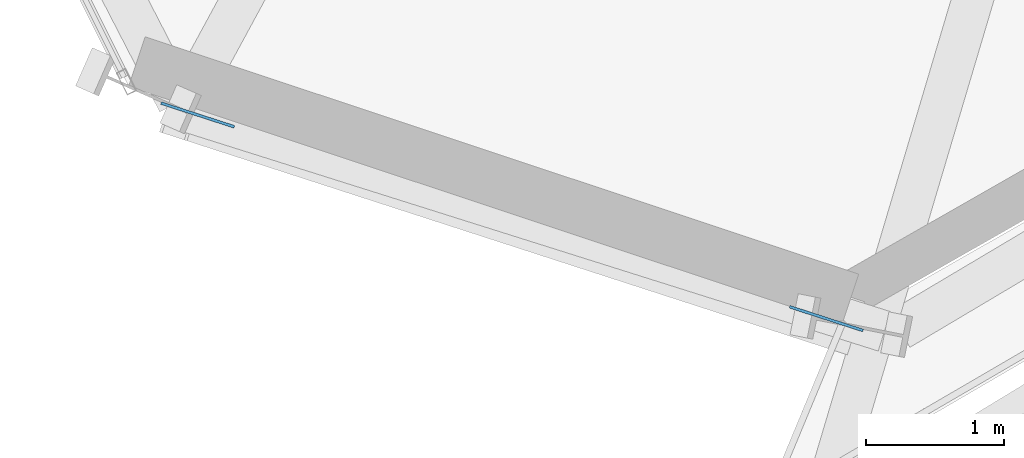
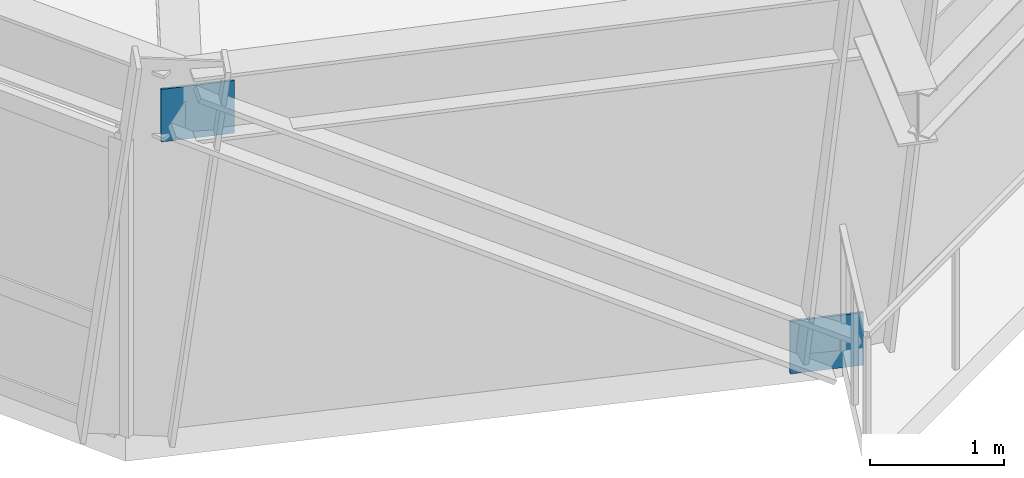
# One storey, part 10 of 20: 2 plates.
"""IFC4 building model written with IfcOpenShell, lengths in metres."""

from ifc_helpers import new_model, si_unit, direction, frame, origin, origin_2d, place, context, subcontext, project, spatial, rectangle, extrude, source, transform, mapped, material, type_object, element, save


model = new_model("IFC4")

# Units and contexts
model_context = context("Model", 3, precision=1e-05, world=origin(), true_north=direction((0.0, 1.0)))
body_context = subcontext(model_context, "Body", "Model", "MODEL_VIEW")
ifc_project = project(units=[si_unit("LENGTHUNIT", "METRE"), si_unit("AREAUNIT", "SQUARE_METRE"), si_unit("VOLUMEUNIT", "CUBIC_METRE"), si_unit("PLANEANGLEUNIT", "RADIAN"), si_unit("MASSUNIT", "GRAM", prefix="KILO")], contexts=[model_context])

# Site, building, storey
site_placement = place(None, origin())
site = spatial("IfcSite", under=ifc_project, at=site_placement, CompositionType="ELEMENT")
building_placement = place(site_placement, origin())
building = spatial("IfcBuilding", under=site, at=building_placement, Name="Olszyna Solenne Hotel", CompositionType="ELEMENT")
storey_placement = place(building_placement, frame((0.0, 0.0, 98.60009765625)))
storey = spatial("IfcBuildingStorey", under=building, at=storey_placement, Name="L25", CompositionType="ELEMENT", Elevation=98.60009765625)

# Plates
ifc_material = material(Name="Steel S355J2", Category="steel")
plate_type = type_object("IfcPlateType", Name="GP-ND2", PredefinedType="USERDEFINED", material=ifc_material)
shared_shape = source(origin(), body_context, "Body", "SweptSolid", [
    extrude(rectangle(XDim=0.56005859375, YDim=0.02001953125, at=origin_2d()), origin(), (0.0, 0.0, 1.0), 0.47998046875),
])
for number, where, z_axis, x_axis, name in (
    (1, (30.64697265625, 2.895263671875, -0.1591796875), (0.0, 0.0, 1.0), (-0.951325822325, 0.308186923436, 0.0), "Brace end connection gusset plate GP-ND2 EP-BR-L25-3-1"),
    (2, (26.07568359375, 4.37646484375, 2.6591796875), (0.0, 0.0, 1.0), (-0.951325822325, 0.308186923436, 0.0), "Brace end connection gusset plate GP-ND2 EP-BR-L25-3-2"),
):
    element("IfcPlate", number, at=place(storey_placement, frame(where, z_axis=z_axis, x_axis=x_axis)), inside=storey, type_object=plate_type, Name=name, ObjectType="GUSSET_PLATE", PredefinedType="USERDEFINED", context=body_context, shape_type="MappedRepresentation", body=[
        mapped(shared_shape, transform((0.0, 0.0, 0.0), x_axis=(1.0, 0.0, 0.0), y_axis=(0.0, 1.0, 0.0), z_axis=(0.0, 0.0, 1.0), scale=1.0)),
    ])

save(model, "model.ifc")
